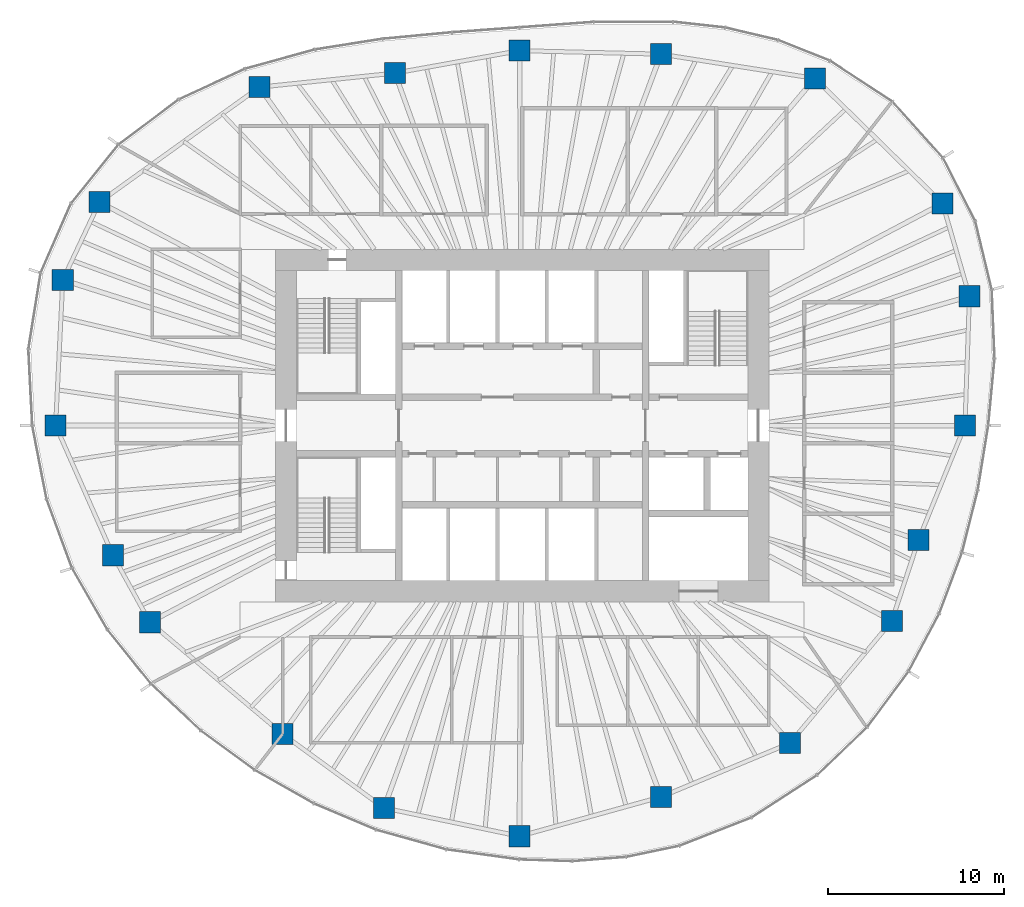
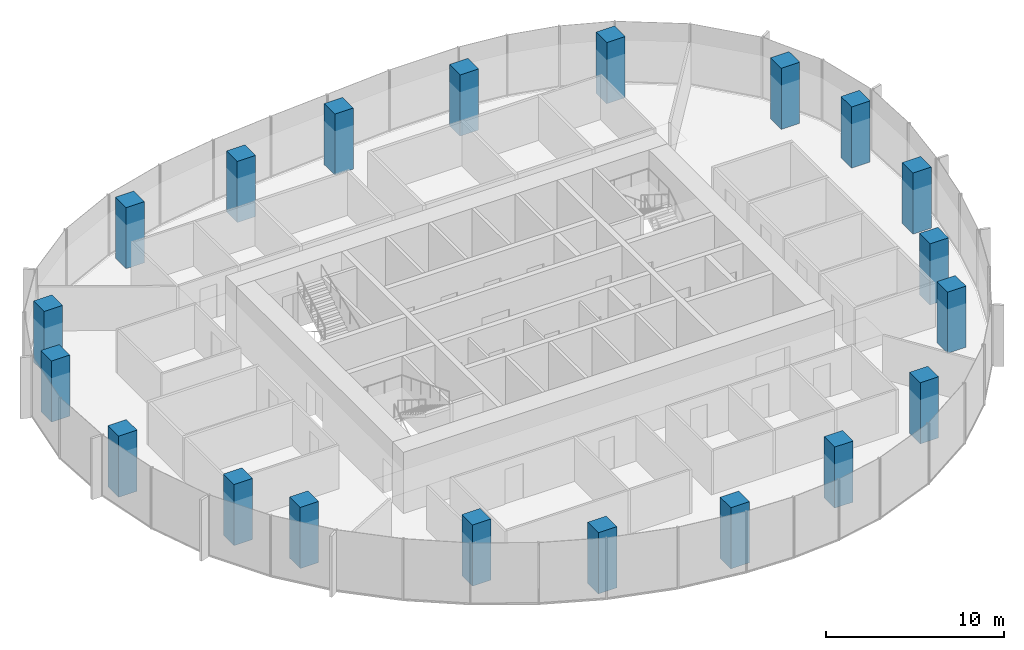
# One storey, part 1 of 12: 20 columns.
"""IFC4 building model written with IfcOpenShell, lengths in metres."""

from ifc_helpers import new_model, si_unit, direction, frame, origin, origin_2d, place, context, subcontext, project, spatial, rectangle, extrude, material, material_profile, profile_set, type_object, element, save


model = new_model("IFC4")

# Units and contexts
model_context = context("Model", 3, precision=1e-05, world=origin(), true_north=direction((0.0, 1.0)))
body_context = subcontext(model_context, "Body", "Model", "MODEL_VIEW")
ifc_project = project(units=[si_unit("LENGTHUNIT", "METRE"), si_unit("AREAUNIT", "SQUARE_METRE"), si_unit("VOLUMEUNIT", "CUBIC_METRE"), si_unit("PLANEANGLEUNIT", "RADIAN"), si_unit("MASSUNIT", "GRAM", prefix="KILO")], contexts=[model_context])

# Site, building, storey
site_placement = place(None, origin())
site = spatial("IfcSite", under=ifc_project, at=site_placement, CompositionType="ELEMENT")
building_placement = place(site_placement, origin())
building = spatial("IfcBuilding", under=site, at=building_placement, Name="Ghaith Harvest Tower", CompositionType="ELEMENT")
storey_placement = place(building_placement, frame((0.0, 0.0, 236.800048828125)))
storey = spatial("IfcBuildingStorey", under=building, at=storey_placement, Name="L52", CompositionType="ELEMENT", Elevation=236.800048828125)

# Columns
ifc_material = material(Name="Concrete C60/75", Category="concrete")
ifc_material_profile = material_profile(ifc_material, rectangle(XDim=1.199951171875, YDim=1.199951171875, at=origin_2d()), Name="RC1200X1200")
ifc_profile_set = profile_set([ifc_material_profile], Name="Concrete C60/75")
column_type = type_object("IfcColumnType", Name="TC6 RC1200X1200", PredefinedType="COLUMN", material=ifc_profile_set)
for number, where, z_axis, x_axis, name in (
    (1, (25.125, 0.0, 0.0), (0.0, 0.0, 1.0), (1.0, 0.0, 0.0), "Perimeter column C01"),
    (2, (25.3779296875, 7.3349609375, 0.0), (0.0, 0.0, 1.0), (1.0, 0.0, 0.0), "Perimeter column C02"),
    (3, (23.85205078125, 12.60693359375, 0.0), (0.0, 0.0, 1.0), (1.0, 0.0, 0.0), "Perimeter column C03"),
    (4, (16.60791015625, 19.695068359375, 0.0), (0.0, 0.0, 1.0), (1.0, 0.0, 0.0), "Perimeter column C04"),
    (5, (7.8779296875, 21.072021484375, 0.0), (0.0, 0.0, 1.0), (1.0, 0.0, 0.0), "Perimeter column C05"),
    (6, (-0.14599609375, 21.27099609375, 0.0), (0.0, 0.0, 1.0), (1.0, 0.0, 0.0), "Perimeter column C06"),
    (7, (-7.221923828125, 19.9970703125, 0.0), (0.0, 0.0, 1.0), (1.0, 0.0, 0.0), "Perimeter column C07"),
    (8, (-14.910888671875, 19.199951171875, 0.0), (0.0, 0.0, 1.0), (1.0, 0.0, 0.0), "Perimeter column C08"),
    (9, (-23.986083984375, 12.677978515625, 0.0), (0.0, 0.0, 1.0), (1.0, 0.0, 0.0), "Perimeter column C09"),
    (10, (-26.06689453125, 8.260986328125, 0.0), (0.0, 0.0, 1.0), (1.0, 0.0, 0.0), "Perimeter column C10"),
    (11, (-26.47509765625, 0.0, 0.0), (0.0, 0.0, 1.0), (1.0, 0.0, 0.0), "Perimeter column C11"),
    (12, (-23.22412109375, -7.360107421875, 0.0), (0.0, 0.0, 1.0), (1.0, 0.0, 0.0), "Perimeter column C12"),
    (13, (-21.125, -11.166015625, 0.0), (0.0, 0.0, 1.0), (1.0, 0.0, 0.0), "Perimeter column C13"),
    (14, (-13.594970703125, -17.5048828125, 0.0), (0.0, 0.0, 1.0), (1.0, 0.0, 0.0), "Perimeter column C14"),
    (15, (-7.837890625, -21.699951171875, 0.0), (0.0, 0.0, 1.0), (1.0, 0.0, 0.0), "Perimeter column C15"),
    (16, (-0.158935546875, -23.304931640625, 0.0), (0.0, 0.0, 1.0), (1.0, 0.0, 0.0), "Perimeter column C16"),
    (17, (7.8779296875, -21.072021484375, 0.0), (0.0, 0.0, 1.0), (1.0, 0.0, 0.0), "Perimeter column C17"),
    (18, (15.197998046875, -18.02294921875, 0.0), (0.0, 0.0, 1.0), (1.0, 0.0, 0.0), "Perimeter column C18"),
    (19, (20.97705078125, -11.087890625, 0.0), (0.0, 0.0, 1.0), (1.0, 0.0, 0.0), "Perimeter column C19"),
    (20, (22.485107421875, -6.4990234375, 0.0), (0.0, 0.0, 1.0), (1.0, 0.0, 0.0), "Perimeter column C20"),
):
    element("IfcColumn", number, at=place(storey_placement, frame(where, z_axis=z_axis, x_axis=x_axis)), inside=storey, type_object=column_type, Name=name, PredefinedType="COLUMN", context=body_context, shape_type="SweptSolid", body=[
        extrude(rectangle(XDim=1.199951171875, YDim=1.199951171875, at=origin_2d()), origin(), (0.0, 0.0, 1.0), 4.199951171875),
    ])

save(model, "model.ifc")
